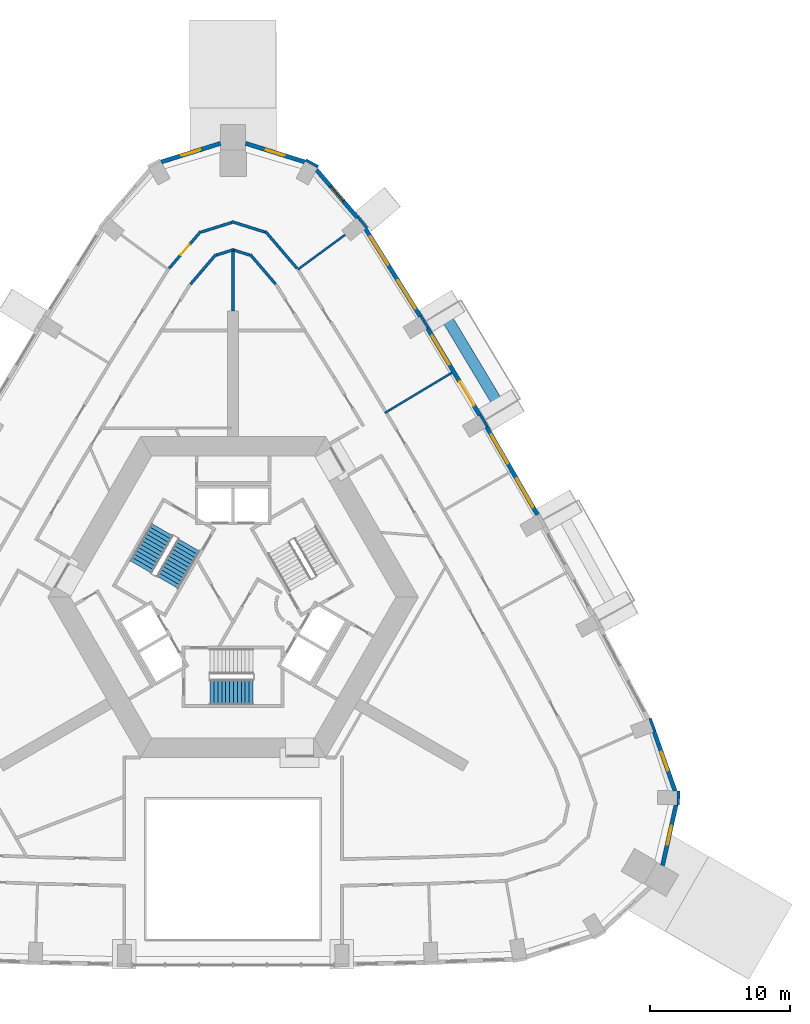
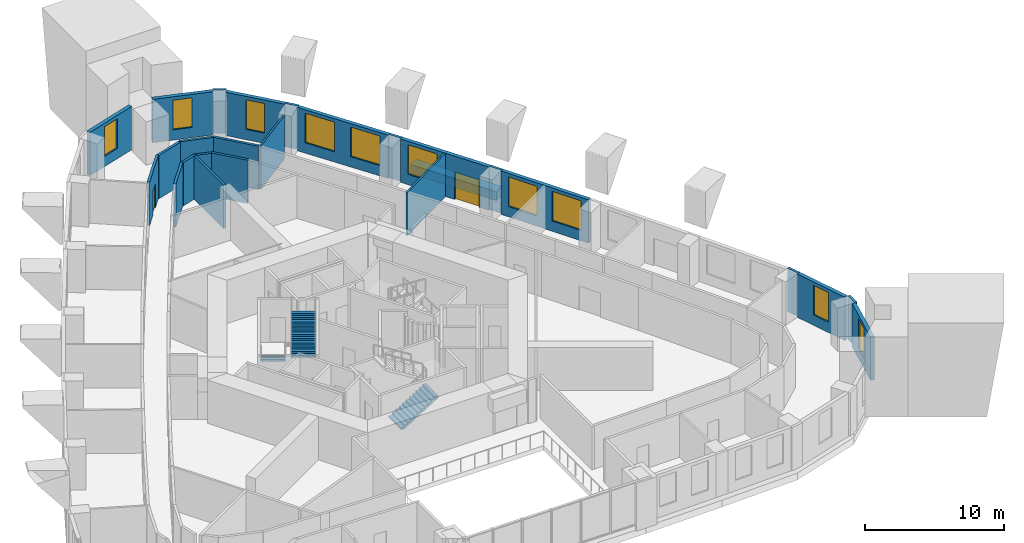
# One storey, part 9 of 13: 26 walls, 10 windows, 3 stair flights, 2 doors, 12 openings, 2 elements without a shape of their own.
"""IFC4 building model written with IfcOpenShell, lengths in metres."""

from ifc_helpers import new_model, si_unit, direction, frame, frame_2d, origin, place, context, subcontext, project, spatial, polyline, rectangle, outline, extrude, material, layer, layer_set, type_object, element, fill, aggregate, save


model = new_model("IFC4")

# Units and contexts
model_context = context("Model", 3, precision=1e-05, world=origin(), true_north=direction((0.0, 1.0)))
body_context = subcontext(model_context, "Body", "Model", "MODEL_VIEW")
ifc_project = project(units=[si_unit("LENGTHUNIT", "METRE"), si_unit("AREAUNIT", "SQUARE_METRE"), si_unit("VOLUMEUNIT", "CUBIC_METRE"), si_unit("PLANEANGLEUNIT", "RADIAN"), si_unit("MASSUNIT", "GRAM", prefix="KILO")], contexts=[model_context])

# Site, building, storey
site_placement = place(None, origin())
site = spatial("IfcSite", under=ifc_project, at=site_placement, CompositionType="ELEMENT")
building_placement = place(site_placement, origin())
building = spatial("IfcBuilding", under=site, at=building_placement, Name="Entoto Arch Interchange Tower", CompositionType="ELEMENT")
storey_placement = place(building_placement, frame((0.0, 0.0, 227.60009765625)))
storey = spatial("IfcBuildingStorey", under=building, at=storey_placement, Name="L51", CompositionType="ELEMENT", Elevation=227.60009765625)

# Walls
ifc_material_1 = material(Name="Gypsum board partition on steel studs", Category="steel")
ifc_layer_1 = layer(ifc_material_1, 0.14990234375)
ifc_layer_set_1 = layer_set([ifc_layer_1], Name="Gypsum board partition on steel studs")
wall_type_1 = type_object("IfcWallType", Name="PARTITION 150", PredefinedType="PARTITIONING", material=ifc_layer_set_1)
wall_1_placement = place(storey_placement, frame((10.87109375, 15.69189453125, 0.0), z_axis=(0.0, 0.0, 1.0), x_axis=(0.857165756431, 0.515040645001, 0.0)))
element("IfcWall", 1, at=wall_1_placement, inside=storey, type_object=wall_type_1, Name="wall:L51:p119", PredefinedType="PARTITIONING", context=body_context, shape_type="SweptSolid", body=[
    extrude(rectangle(XDim=5.599609375, YDim=0.14990234375, at=frame_2d((2.7998046875, 0.0))), origin(), (0.0, 0.0, 1.0), 3.7998046875),
])
wall_2_placement = place(storey_placement, frame((4.64599609375, 25.97607421875, 0.0), z_axis=(0.0, 0.0, 1.0), x_axis=(0.806134630684, 0.591732166788, 0.0)))
element("IfcWall", 2, at=wall_2_placement, inside=storey, type_object=wall_type_1, Name="wall:L51:p120", PredefinedType="PARTITIONING", context=body_context, shape_type="SweptSolid", body=[
    extrude(rectangle(XDim=4.192626953125, YDim=0.14990234375, at=frame_2d((2.09619140625, 0.0))), origin(), (0.0, 0.0, 1.0), 3.7998046875),
])
ifc_layer_2 = layer(ifc_material_1, 0.199951171875)
ifc_layer_set_2 = layer_set([ifc_layer_2], Name="Gypsum board partition on steel studs")
wall_type_2 = type_object("IfcWallType", Name="PARTITION 200", PredefinedType="PARTITIONING", material=ifc_layer_set_2)
wall_3_placement = place(storey_placement, frame((3.044921875, 24.925048828125, 0.0), z_axis=(0.0, 0.0, 1.0), x_axis=(-0.650057725157, 0.759884829407, 0.0)))
element("IfcWall", 3, at=wall_3_placement, inside=storey, type_object=wall_type_2, Name="wall:L51:p015", PredefinedType="PARTITIONING", context=body_context, shape_type="SweptSolid", body=[
    extrude(rectangle(XDim=2.79638671875, YDim=0.199951171875, at=frame_2d((1.398193359375, 0.0))), origin(), (0.0, 0.0, 1.0), 3.7998046875),
])
wall_4_placement = place(storey_placement, frame((1.196044921875, 27.00390625, 0.0), z_axis=(0.0, 0.0, 1.0), x_axis=(-0.954200976086, 0.29916633707, 0.0)))
element("IfcWall", 4, at=wall_4_placement, inside=storey, type_object=wall_type_2, Name="wall:L51:p016", PredefinedType="PARTITIONING", context=body_context, shape_type="SweptSolid", body=[
    extrude(rectangle(XDim=1.15380859375, YDim=0.199951171875, at=frame_2d((0.576904296875, 0.0))), origin(), (0.0, 0.0, 1.0), 3.7998046875),
])
wall_5_placement = place(storey_placement, frame((0.0, 27.37890625, 0.0), z_axis=(0.0, 0.0, 1.0), x_axis=(-0.954198830916, -0.299173179075, 0.0)))
element("IfcWall", 5, at=wall_5_placement, inside=storey, type_object=wall_type_2, Name="wall:L51:p017", PredefinedType="PARTITIONING", context=body_context, shape_type="SweptSolid", body=[
    extrude(rectangle(XDim=1.25341796875, YDim=0.199951171875, at=frame_2d((0.626708984375, 0.0))), origin(), (0.0, 0.0, 1.0), 3.7998046875),
])
wall_6_placement = place(storey_placement, frame((-1.22705078125, 27.050048828125, 0.0), z_axis=(0.0, 0.0, 1.0), x_axis=(-0.650057725157, -0.759884829407, 0.0)))
element("IfcWall", 6, at=wall_6_placement, inside=storey, type_object=wall_type_2, Name="wall:L51:p018", PredefinedType="PARTITIONING", context=body_context, shape_type="SweptSolid", body=[
    extrude(rectangle(XDim=2.79638671875, YDim=0.199951171875, at=frame_2d((1.398193359375, 0.0))), origin(), (0.0, 0.0, 1.0), 3.7998046875),
])

# Wall, opening, door
wall_7_placement = place(storey_placement, frame((-4.5810546875, 26.052001953125, 0.0), z_axis=(0.0, 0.0, 1.0), x_axis=(0.650040973726, 0.759899159413, 0.0)))
wall_7 = element("IfcWall", 7, at=wall_7_placement, inside=storey, type_object=wall_type_2, Name="wall:L51:p054", PredefinedType="PARTITIONING", context=body_context, shape_type="SweptSolid", body=[
    extrude(rectangle(XDim=3.484619140625, YDim=0.199951171875, at=frame_2d((1.7421875, 0.0))), origin(), (0.0, 0.0, 1.0), 3.7998046875),
])
opening_1_placement = place(wall_7_placement, frame((1.242919921875, 0.0, 0.0)))
opening_1 = element("IfcOpeningElement", 8, at=opening_1_placement, cuts=wall_7, Name="Opening L51-D08", PredefinedType="OPENING", context=body_context, shape_type="SweptSolid", body=[
    extrude(rectangle(XDim=1.0, YDim=2.10009765625, at=frame_2d((0.5, 1.050048828125))), frame((0.0, 0.10986328125, 0.0), z_axis=(0.0, -1.0, 0.0), x_axis=(1.0, 0.0, 0.0)), (0.0, 0.0, 1.0), 0.219970703125),
])
ifc_material_2 = material(Name="Timber door leaf in Steel S235 frame", Category="steel")
door_type_1 = type_object("IfcDoorType", Name="DOOR DS-10 1000x2100", OperationType="SINGLE_SWING_LEFT", PredefinedType="DOOR", material=ifc_material_2)
door_1_placement = place(opening_1_placement, origin())
door_1 = element("IfcDoor", 9, at=door_1_placement, inside=storey, type_object=door_type_1, Name="door:L51:08", OperationType="SINGLE_SWING_LEFT", OverallHeight=2.10009765625, OverallWidth=1.0, PredefinedType="DOOR", context=body_context, shape_type="SweptSolid", body=[
    extrude(rectangle(XDim=1.0, YDim=2.10009765625, at=frame_2d((0.5, 1.050048828125))), frame((0.0, 0.02490234375, 0.0), z_axis=(0.0, -1.0, 0.0), x_axis=(1.0, 0.0, 0.0)), (0.0, 0.0, 1.0), 0.050048828125),
])
fill(opening_1, door_1)

# Walls
wall_8_placement = place(storey_placement, frame((-2.284912109375, 28.654052734375, 0.0), z_axis=(0.0, 0.0, 1.0), x_axis=(0.954271519007, 0.298941245085, 0.0)))
element("IfcWall", 10, at=wall_8_placement, inside=storey, type_object=wall_type_2, Name="wall:L51:p055", PredefinedType="PARTITIONING", context=body_context, shape_type="SweptSolid", body=[
    extrude(rectangle(XDim=2.294921875, YDim=0.199951171875, at=frame_2d((1.1474609375, 0.0))), origin(), (0.0, 0.0, 1.0), 3.7998046875),
])
wall_9_placement = place(storey_placement, frame((-0.094970703125, 29.39990234375, 0.0), z_axis=(0.0, 0.0, 1.0), x_axis=(0.954235803916, -0.29905522989, 0.0)))
element("IfcWall", 11, at=wall_9_placement, inside=storey, type_object=wall_type_2, Name="wall:L51:p056", PredefinedType="PARTITIONING", context=body_context, shape_type="SweptSolid", body=[
    extrude(rectangle(XDim=2.494140625, YDim=0.199951171875, at=frame_2d((1.2470703125, 0.0))), origin(), (0.0, 0.0, 1.0), 3.7998046875),
])
wall_10_placement = place(storey_placement, frame((2.31591796875, 28.699951171875, 0.0), z_axis=(0.0, 0.0, 1.0), x_axis=(0.650040973726, -0.759899159413, 0.0)))
element("IfcWall", 12, at=wall_10_placement, inside=storey, type_object=wall_type_2, Name="wall:L51:p057", PredefinedType="PARTITIONING", context=body_context, shape_type="SweptSolid", body=[
    extrude(rectangle(XDim=3.484619140625, YDim=0.199951171875, at=frame_2d((1.7421875, 0.0))), origin(), (0.0, 0.0, 1.0), 3.7998046875),
])
wall_11_placement = place(storey_placement, frame((0.0, 23.0, 0.0), z_axis=(0.0, 0.0, 1.0), x_axis=(0.0, 1.0, 0.0)))
element("IfcWall", 13, at=wall_11_placement, inside=storey, type_object=wall_type_2, Name="wall:L51:p108", PredefinedType="PARTITIONING", context=body_context, shape_type="SweptSolid", body=[
    extrude(rectangle(XDim=4.47900390625, YDim=0.199951171875, at=frame_2d((2.239501953125, 0.0))), origin(), (0.0, 0.0, 1.0), 3.7998046875),
])
ifc_material_3 = material(Name="Board-marked precast concrete C50/60", Category="concrete")
ifc_layer_3 = layer(ifc_material_3, 0.800048828125)
ifc_layer_set_3 = layer_set([ifc_layer_3], Name="Board-marked precast concrete C50/60")
wall_type_3 = type_object("IfcWallType", Name="PLANTER RC 800 Hagenia abyssinica", PredefinedType="STANDARD", material=ifc_layer_set_3)
wall_12_placement = place(storey_placement, frame((18.946044921875, 16.426025390625, 0.0), z_axis=(0.0, 0.0, 1.0), x_axis=(-0.51495344021, 0.857218148674, 0.0)))
element("IfcWall", 14, at=wall_12_placement, inside=storey, type_object=wall_type_3, Name="Planter NE-04 L51", PredefinedType="STANDARD", context=body_context, shape_type="SweptSolid", body=[
    extrude(rectangle(XDim=7.058837890625, YDim=0.800048828125, at=frame_2d((3.529296875, 0.0))), origin(), (0.0, 0.0, 1.0), 0.7998046875),
])

# Wall, opening, window
ifc_material_4 = material(Name="Welded tuff (ignimbrite) cladding, warm buff", Category="masonry")
ifc_layer_4 = layer(ifc_material_4, 0.300048828125)
ifc_layer_set_4 = layer_set([ifc_layer_4], Name="Welded tuff (ignimbrite) cladding, warm buff")
wall_type_4 = type_object("IfcWallType", Name="STONE INFILL WALL 300", PredefinedType="STANDARD", material=ifc_layer_set_4)
wall_13_placement = place(storey_placement, frame((30.76904296875, -16.72607421875, 0.0), z_axis=(0.0, 0.0, 1.0), x_axis=(0.218179157422, 0.975908733062, 0.0)))
wall_13 = element("IfcWall", 15, at=wall_13_placement, inside=storey, type_object=wall_type_4, Name="Facade wall SE-03 L51", PredefinedType="STANDARD", context=body_context, shape_type="SweptSolid", body=[
    extrude(rectangle(XDim=4.4501953125, YDim=0.300048828125, at=frame_2d((2.22509765625, 0.0))), origin(), (0.0, 0.0, 1.0), 3.7998046875),
])
opening_2_placement = place(wall_13_placement, frame((1.52490234375, 0.0, 0.89990234375)))
opening_2 = element("IfcOpeningElement", 16, at=opening_2_placement, cuts=wall_13, Name="Opening WO-B", PredefinedType="OPENING", context=body_context, shape_type="SweptSolid", body=[
    extrude(rectangle(XDim=1.39990234375, YDim=2.60009765625, at=frame_2d((0.699951171875, 1.300048828125))), frame((0.0, 0.16015625, 0.0), z_axis=(0.0, -1.0, 0.0), x_axis=(1.0, 0.0, 0.0)), (0.0, 0.0, 1.0), 0.320068359375),
])
ifc_material_5 = material(Name="Clear glass, low-e double glazed", Category="glass")
window_type_1 = type_object("IfcWindowType", Name="WINDOW WO-B 1400x2600", PartitioningType="DOUBLE_PANEL_VERTICAL", PredefinedType="WINDOW", material=ifc_material_5)
window_1_placement = place(opening_2_placement, origin())
window_1 = element("IfcWindow", 17, at=window_1_placement, inside=storey, type_object=window_type_1, Name="Window WO-B SE-03 L51", OverallHeight=2.60009765625, OverallWidth=1.39990234375, PartitioningType="SINGLE_PANEL", PredefinedType="WINDOW", context=body_context, shape_type="SweptSolid", body=[
    extrude(rectangle(XDim=1.39990234375, YDim=2.60009765625, at=frame_2d((0.699951171875, 1.300048828125))), frame((0.0, 0.030029296875, 0.0), z_axis=(0.0, -1.0, 0.0), x_axis=(1.0, 0.0, 0.0)), (0.0, 0.0, 1.0), 0.06005859375),
])
fill(opening_2, window_1)

wall_14_placement = place(storey_placement, frame((31.666015625, -11.382080078125, 0.0), z_axis=(0.0, 0.0, 1.0), x_axis=(-0.333280640478, 0.942827669663, 0.0)))
wall_14 = element("IfcWall", 18, at=wall_14_placement, inside=storey, type_object=wall_type_4, Name="Facade wall SE-04 L51", PredefinedType="STANDARD", context=body_context, shape_type="SweptSolid", body=[
    extrude(rectangle(XDim=4.491943359375, YDim=0.300048828125, at=frame_2d((2.24609375, 0.0))), origin(), (0.0, 0.0, 1.0), 3.7998046875),
])
opening_3_placement = place(wall_14_placement, frame((1.5458984375, 0.0, 0.89990234375)))
opening_3 = element("IfcOpeningElement", 19, at=opening_3_placement, cuts=wall_14, Name="Opening WO-B", PredefinedType="OPENING", context=body_context, shape_type="SweptSolid", body=[
    extrude(rectangle(XDim=1.39990234375, YDim=2.60009765625, at=frame_2d((0.699951171875, 1.300048828125))), frame((0.0, 0.16015625, 0.0), z_axis=(0.0, -1.0, 0.0), x_axis=(1.0, 0.0, 0.0)), (0.0, 0.0, 1.0), 0.320068359375),
])
window_2_placement = place(opening_3_placement, origin())
window_2 = element("IfcWindow", 20, at=window_2_placement, inside=storey, type_object=window_type_1, Name="Window WO-B SE-04 L51", OverallHeight=2.60009765625, OverallWidth=1.39990234375, PartitioningType="SINGLE_PANEL", PredefinedType="WINDOW", context=body_context, shape_type="SweptSolid", body=[
    extrude(rectangle(XDim=1.39990234375, YDim=2.60009765625, at=frame_2d((0.699951171875, 1.300048828125))), frame((0.0, 0.030029296875, 0.0), z_axis=(0.0, -1.0, 0.0), x_axis=(1.0, 0.0, 0.0)), (0.0, 0.0, 1.0), 0.06005859375),
])
fill(opening_3, window_2)

# Wall, openings, windows
wall_15_placement = place(storey_placement, frame((21.803955078125, 8.39892578125, 0.0), z_axis=(0.0, 0.0, 1.0), x_axis=(-0.500075798504, 0.865981637075, 0.0)))
wall_15 = element("IfcWall", 21, at=wall_15_placement, inside=storey, type_object=wall_type_4, Name="Facade wall NE-03 L51", PredefinedType="STANDARD", context=body_context, shape_type="SweptSolid", body=[
    extrude(rectangle(XDim=7.256591796875, YDim=0.300048828125, at=frame_2d((3.62841796875, 0.0))), origin(), (0.0, 0.0, 1.0), 3.7998046875),
])
opening_4_placement = place(wall_15_placement, frame((0.614013671875, 0.0, 0.89990234375)))
opening_4 = element("IfcOpeningElement", 22, at=opening_4_placement, cuts=wall_15, Name="Opening WO-A", PredefinedType="OPENING", context=body_context, shape_type="SweptSolid", body=[
    extrude(rectangle(XDim=2.39990234375, YDim=2.60009765625, at=frame_2d((1.199951171875, 1.300048828125))), frame((0.0, 0.16015625, 0.0), z_axis=(0.0, -1.0, 0.0), x_axis=(1.0, 0.0, 0.0)), (0.0, 0.0, 1.0), 0.320068359375),
])
opening_5_placement = place(wall_15_placement, frame((4.241943359375, 0.0, 0.89990234375)))
opening_5 = element("IfcOpeningElement", 23, at=opening_5_placement, cuts=wall_15, Name="Opening WO-A", PredefinedType="OPENING", context=body_context, shape_type="SweptSolid", body=[
    extrude(rectangle(XDim=2.39990234375, YDim=2.60009765625, at=frame_2d((1.199951171875, 1.300048828125))), frame((0.0, 0.16015625, 0.0), z_axis=(0.0, -1.0, 0.0), x_axis=(1.0, 0.0, 0.0)), (0.0, 0.0, 1.0), 0.320068359375),
])
window_type_2 = type_object("IfcWindowType", Name="WINDOW WO-A 2400x2600", PartitioningType="DOUBLE_PANEL_VERTICAL", PredefinedType="WINDOW", material=ifc_material_5)
window_3_placement = place(opening_4_placement, origin())
window_3 = element("IfcWindow", 24, at=window_3_placement, inside=storey, type_object=window_type_2, Name="Window WO-A NE-03 L51", OverallHeight=2.60009765625, OverallWidth=2.39990234375, PartitioningType="SINGLE_PANEL", PredefinedType="WINDOW", context=body_context, shape_type="SweptSolid", body=[
    extrude(rectangle(XDim=2.39990234375, YDim=2.60009765625, at=frame_2d((1.199951171875, 1.300048828125))), frame((0.0, 0.030029296875, 0.0), z_axis=(0.0, -1.0, 0.0), x_axis=(1.0, 0.0, 0.0)), (0.0, 0.0, 1.0), 0.06005859375),
])
fill(opening_4, window_3)
window_4_placement = place(opening_5_placement, origin())
window_4 = element("IfcWindow", 25, at=window_4_placement, inside=storey, type_object=window_type_2, Name="Window WO-A NE-03 L51", OverallHeight=2.60009765625, OverallWidth=2.39990234375, PartitioningType="SINGLE_PANEL", PredefinedType="WINDOW", context=body_context, shape_type="SweptSolid", body=[
    extrude(rectangle(XDim=2.39990234375, YDim=2.60009765625, at=frame_2d((1.199951171875, 1.300048828125))), frame((0.0, 0.030029296875, 0.0), z_axis=(0.0, -1.0, 0.0), x_axis=(1.0, 0.0, 0.0)), (0.0, 0.0, 1.0), 0.06005859375),
])
fill(opening_5, window_4)

# Wall, openings, door, window
wall_16_placement = place(storey_placement, frame((17.6689453125, 15.5419921875, 0.0), z_axis=(0.0, 0.0, 1.0), x_axis=(-0.515049705348, 0.857160312323, 0.0)))
wall_16 = element("IfcWall", 26, at=wall_16_placement, inside=storey, type_object=wall_type_4, Name="Facade wall NE-04 L51", PredefinedType="STANDARD", context=body_context, shape_type="SweptSolid", body=[
    extrude(rectangle(XDim=7.257568359375, YDim=0.300048828125, at=frame_2d((3.62890625, 0.0))), origin(), (0.0, 0.0, 1.0), 3.7998046875),
])
opening_6_placement = place(wall_16_placement, frame((0.81396484375, 0.0, 0.0)))
opening_6 = element("IfcOpeningElement", 27, at=opening_6_placement, cuts=wall_16, Name="Opening DB-NE-04-L51", PredefinedType="OPENING", context=body_context, shape_type="SweptSolid", body=[
    extrude(rectangle(XDim=2.0, YDim=2.39990234375, at=frame_2d((1.0, 1.199951171875))), frame((0.0, 0.16015625, 0.0), z_axis=(0.0, -1.0, 0.0), x_axis=(1.0, 0.0, 0.0)), (0.0, 0.0, 1.0), 0.320068359375),
])
opening_7_placement = place(wall_16_placement, frame((4.242919921875, 0.0, 0.89990234375)))
opening_7 = element("IfcOpeningElement", 28, at=opening_7_placement, cuts=wall_16, Name="Opening WO-A", PredefinedType="OPENING", context=body_context, shape_type="SweptSolid", body=[
    extrude(rectangle(XDim=2.39990234375, YDim=2.60009765625, at=frame_2d((1.199951171875, 1.300048828125))), frame((0.0, 0.16015625, 0.0), z_axis=(0.0, -1.0, 0.0), x_axis=(1.0, 0.0, 0.0)), (0.0, 0.0, 1.0), 0.320068359375),
])
ifc_material_6 = material(Name="Aluminium and clear glass, anodised", Category="aluminium")
door_type_2 = type_object("IfcDoorType", Name="BALCONY DOOR DB 2000x2400", OperationType="SLIDING_TO_LEFT", PredefinedType="DOOR", material=ifc_material_6)
door_2_placement = place(opening_6_placement, origin())
door_2 = element("IfcDoor", 29, at=door_2_placement, inside=storey, type_object=door_type_2, Name="Balcony door NE-04 L51", OperationType="SLIDING_TO_LEFT", OverallHeight=2.39990234375, OverallWidth=2.0, PredefinedType="DOOR", context=body_context, shape_type="SweptSolid", body=[
    extrude(rectangle(XDim=2.0, YDim=2.39990234375, at=frame_2d((1.0, 1.199951171875))), frame((0.0, 0.02490234375, 0.0), z_axis=(0.0, -1.0, 0.0), x_axis=(1.0, 0.0, 0.0)), (0.0, 0.0, 1.0), 0.050048828125),
])
fill(opening_6, door_2)
window_5_placement = place(opening_7_placement, origin())
window_5 = element("IfcWindow", 30, at=window_5_placement, inside=storey, type_object=window_type_2, Name="Window WO-A NE-04 L51", OverallHeight=2.60009765625, OverallWidth=2.39990234375, PartitioningType="SINGLE_PANEL", PredefinedType="WINDOW", context=body_context, shape_type="SweptSolid", body=[
    extrude(rectangle(XDim=2.39990234375, YDim=2.60009765625, at=frame_2d((1.199951171875, 1.300048828125))), frame((0.0, 0.030029296875, 0.0), z_axis=(0.0, -1.0, 0.0), x_axis=(1.0, 0.0, 0.0)), (0.0, 0.0, 1.0), 0.06005859375),
])
fill(opening_7, window_5)

# Wall, openings, windows
wall_17_placement = place(storey_placement, frame((13.409912109375, 22.614013671875, 0.0), z_axis=(0.0, 0.0, 1.0), x_axis=(-0.530037467052, 0.847974223383, 0.0)))
wall_17 = element("IfcWall", 31, at=wall_17_placement, inside=storey, type_object=wall_type_4, Name="Facade wall NE-05 L51", PredefinedType="STANDARD", context=body_context, shape_type="SweptSolid", body=[
    extrude(rectangle(XDim=7.40478515625, YDim=0.300048828125, at=frame_2d((3.702392578125, 0.0))), origin(), (0.0, 0.0, 1.0), 3.7998046875),
])
opening_8_placement = place(wall_17_placement, frame((0.65087890625, 0.0, 0.89990234375)))
opening_8 = element("IfcOpeningElement", 32, at=opening_8_placement, cuts=wall_17, Name="Opening WO-A", PredefinedType="OPENING", context=body_context, shape_type="SweptSolid", body=[
    extrude(rectangle(XDim=2.39990234375, YDim=2.60009765625, at=frame_2d((1.199951171875, 1.300048828125))), frame((0.0, 0.16015625, 0.0), z_axis=(0.0, -1.0, 0.0), x_axis=(1.0, 0.0, 0.0)), (0.0, 0.0, 1.0), 0.320068359375),
])
opening_9_placement = place(wall_17_placement, frame((4.35400390625, 0.0, 0.89990234375)))
opening_9 = element("IfcOpeningElement", 33, at=opening_9_placement, cuts=wall_17, Name="Opening WO-A", PredefinedType="OPENING", context=body_context, shape_type="SweptSolid", body=[
    extrude(rectangle(XDim=2.39990234375, YDim=2.60009765625, at=frame_2d((1.199951171875, 1.300048828125))), frame((0.0, 0.16015625, 0.0), z_axis=(0.0, -1.0, 0.0), x_axis=(1.0, 0.0, 0.0)), (0.0, 0.0, 1.0), 0.320068359375),
])
window_6_placement = place(opening_8_placement, origin())
window_6 = element("IfcWindow", 34, at=window_6_placement, inside=storey, type_object=window_type_2, Name="Window WO-A NE-05 L51", OverallHeight=2.60009765625, OverallWidth=2.39990234375, PartitioningType="SINGLE_PANEL", PredefinedType="WINDOW", context=body_context, shape_type="SweptSolid", body=[
    extrude(rectangle(XDim=2.39990234375, YDim=2.60009765625, at=frame_2d((1.199951171875, 1.300048828125))), frame((0.0, 0.030029296875, 0.0), z_axis=(0.0, -1.0, 0.0), x_axis=(1.0, 0.0, 0.0)), (0.0, 0.0, 1.0), 0.06005859375),
])
fill(opening_8, window_6)
window_7_placement = place(opening_9_placement, origin())
window_7 = element("IfcWindow", 35, at=window_7_placement, inside=storey, type_object=window_type_2, Name="Window WO-A NE-05 L51", OverallHeight=2.60009765625, OverallWidth=2.39990234375, PartitioningType="SINGLE_PANEL", PredefinedType="WINDOW", context=body_context, shape_type="SweptSolid", body=[
    extrude(rectangle(XDim=2.39990234375, YDim=2.60009765625, at=frame_2d((1.199951171875, 1.300048828125))), frame((0.0, 0.030029296875, 0.0), z_axis=(0.0, -1.0, 0.0), x_axis=(1.0, 0.0, 0.0)), (0.0, 0.0, 1.0), 0.06005859375),
])
fill(opening_9, window_7)

# Wall, opening, window
wall_18_placement = place(storey_placement, frame((8.89501953125, 29.699951171875, 0.0), z_axis=(0.0, 0.0, 1.0), x_axis=(-0.649967502437, 0.75996200285, 0.0)))
wall_18 = element("IfcWall", 36, at=wall_18_placement, inside=storey, type_object=wall_type_4, Name="Facade wall N-01 L51", PredefinedType="STANDARD", context=body_context, shape_type="SweptSolid", body=[
    extrude(rectangle(XDim=4.492431640625, YDim=0.300048828125, at=frame_2d((2.24609375, 0.0))), origin(), (0.0, 0.0, 1.0), 3.7998046875),
])
opening_10_placement = place(wall_18_placement, frame((1.5458984375, 0.0, 0.89990234375)))
opening_10 = element("IfcOpeningElement", 37, at=opening_10_placement, cuts=wall_18, Name="Opening WO-B", PredefinedType="OPENING", context=body_context, shape_type="SweptSolid", body=[
    extrude(rectangle(XDim=1.39990234375, YDim=2.60009765625, at=frame_2d((0.699951171875, 1.300048828125))), frame((0.0, 0.16015625, 0.0), z_axis=(0.0, -1.0, 0.0), x_axis=(1.0, 0.0, 0.0)), (0.0, 0.0, 1.0), 0.320068359375),
])
window_8_placement = place(opening_10_placement, origin())
window_8 = element("IfcWindow", 38, at=window_8_placement, inside=storey, type_object=window_type_1, Name="Window WO-B N-01 L51", OverallHeight=2.60009765625, OverallWidth=1.39990234375, PartitioningType="SINGLE_PANEL", PredefinedType="WINDOW", context=body_context, shape_type="SweptSolid", body=[
    extrude(rectangle(XDim=1.39990234375, YDim=2.60009765625, at=frame_2d((0.699951171875, 1.300048828125))), frame((0.0, 0.030029296875, 0.0), z_axis=(0.0, -1.0, 0.0), x_axis=(1.0, 0.0, 0.0)), (0.0, 0.0, 1.0), 0.06005859375),
])
fill(opening_10, window_8)

wall_19_placement = place(storey_placement, frame((5.14599609375, 33.678955078125, 0.0), z_axis=(0.0, 0.0, 1.0), x_axis=(-0.95429628924, 0.298862162783, 0.0)))
wall_19 = element("IfcWall", 39, at=wall_19_placement, inside=storey, type_object=wall_type_4, Name="Facade wall N-02 L51", PredefinedType="STANDARD", context=body_context, shape_type="SweptSolid", body=[
    extrude(rectangle(XDim=4.450439453125, YDim=0.300048828125, at=frame_2d((2.22509765625, 0.0))), origin(), (0.0, 0.0, 1.0), 3.7998046875),
])
opening_11_placement = place(wall_19_placement, frame((1.52490234375, 0.0, 0.89990234375)))
opening_11 = element("IfcOpeningElement", 40, at=opening_11_placement, cuts=wall_19, Name="Opening WO-B", PredefinedType="OPENING", context=body_context, shape_type="SweptSolid", body=[
    extrude(rectangle(XDim=1.39990234375, YDim=2.60009765625, at=frame_2d((0.699951171875, 1.300048828125))), frame((0.0, 0.16015625, 0.0), z_axis=(0.0, -1.0, 0.0), x_axis=(1.0, 0.0, 0.0)), (0.0, 0.0, 1.0), 0.320068359375),
])
window_9_placement = place(opening_11_placement, origin())
window_9 = element("IfcWindow", 41, at=window_9_placement, inside=storey, type_object=window_type_1, Name="Window WO-B N-02 L51", OverallHeight=2.60009765625, OverallWidth=1.39990234375, PartitioningType="SINGLE_PANEL", PredefinedType="WINDOW", context=body_context, shape_type="SweptSolid", body=[
    extrude(rectangle(XDim=1.39990234375, YDim=2.60009765625, at=frame_2d((0.699951171875, 1.300048828125))), frame((0.0, 0.030029296875, 0.0), z_axis=(0.0, -1.0, 0.0), x_axis=(1.0, 0.0, 0.0)), (0.0, 0.0, 1.0), 0.06005859375),
])
fill(opening_11, window_9)

wall_20_placement = place(storey_placement, frame((-0.89892578125, 35.009033203125, 0.0), z_axis=(0.0, 0.0, 1.0), x_axis=(-0.95429628924, -0.298862162783, 0.0)))
wall_20 = element("IfcWall", 42, at=wall_20_placement, inside=storey, type_object=wall_type_4, Name="Facade wall N-03 L51", PredefinedType="STANDARD", context=body_context, shape_type="SweptSolid", body=[
    extrude(rectangle(XDim=4.450439453125, YDim=0.300048828125, at=frame_2d((2.22509765625, 0.0))), origin(), (0.0, 0.0, 1.0), 3.7998046875),
])
opening_12_placement = place(wall_20_placement, frame((1.52490234375, 0.0, 0.89990234375)))
opening_12 = element("IfcOpeningElement", 43, at=opening_12_placement, cuts=wall_20, Name="Opening WO-B", PredefinedType="OPENING", context=body_context, shape_type="SweptSolid", body=[
    extrude(rectangle(XDim=1.39990234375, YDim=2.60009765625, at=frame_2d((0.699951171875, 1.300048828125))), frame((0.0, 0.16015625, 0.0), z_axis=(0.0, -1.0, 0.0), x_axis=(1.0, 0.0, 0.0)), (0.0, 0.0, 1.0), 0.320068359375),
])
window_10_placement = place(opening_12_placement, origin())
window_10 = element("IfcWindow", 44, at=window_10_placement, inside=storey, type_object=window_type_1, Name="Window WO-B N-03 L51", OverallHeight=2.60009765625, OverallWidth=1.39990234375, PartitioningType="SINGLE_PANEL", PredefinedType="WINDOW", context=body_context, shape_type="SweptSolid", body=[
    extrude(rectangle(XDim=1.39990234375, YDim=2.60009765625, at=frame_2d((0.699951171875, 1.300048828125))), frame((0.0, 0.030029296875, 0.0), z_axis=(0.0, -1.0, 0.0), x_axis=(1.0, 0.0, 0.0)), (0.0, 0.0, 1.0), 0.06005859375),
])
fill(opening_12, window_10)

# Walls
ifc_layer_5 = layer(ifc_material_4, 0.199951171875)
ifc_layer_set_5 = layer_set([ifc_layer_5], Name="Welded tuff (ignimbrite) cladding, warm buff")
wall_type_5 = type_object("IfcWallType", Name="STONE PIER CLADDING 200", PredefinedType="STANDARD", material=ifc_layer_set_5)
wall_21_placement = place(storey_placement, frame((6.095947265625, 33.333984375, 0.0), z_axis=(0.0, 0.0, 1.0), x_axis=(-0.878250009632, 0.478201757191, 0.0)))
element("IfcWall", 45, at=wall_21_placement, inside=storey, type_object=wall_type_5, Name="Stone pier N1 L51", PredefinedType="STANDARD", context=body_context, shape_type="SweptSolid", body=[
    extrude(rectangle(XDim=0.999755859375, YDim=0.199951171875, at=frame_2d((0.5, 0.0))), origin(), (0.0, 0.0, 1.0), 3.7998046875),
])
wall_22_placement = place(storey_placement, frame((30.222900390625, -7.1279296875, 0.0), z_axis=(0.0, 0.0, 1.0), x_axis=(-0.346892928577, 0.937904737222, 0.0)))
element("IfcWall", 46, at=wall_22_placement, inside=storey, type_object=wall_type_5, Name="Stone pier NE01 L51", PredefinedType="STANDARD", context=body_context, shape_type="SweptSolid", body=[
    extrude(rectangle(XDim=1.0, YDim=0.199951171875, at=frame_2d((0.5, 0.0))), origin(), (0.0, 0.0, 1.0), 3.7998046875),
])
wall_23_placement = place(storey_placement, frame((18.222900390625, 14.7099609375, 0.0), z_axis=(0.0, 0.0, 1.0), x_axis=(-0.507980373775, 0.861368643416, 0.0)))
element("IfcWall", 47, at=wall_23_placement, inside=storey, type_object=wall_type_5, Name="Stone pier NE04 L51", PredefinedType="STANDARD", context=body_context, shape_type="SweptSolid", body=[
    extrude(rectangle(XDim=0.999755859375, YDim=0.199951171875, at=frame_2d((0.5, 0.0))), origin(), (0.0, 0.0, 1.0), 3.7998046875),
])
wall_24_placement = place(storey_placement, frame((13.97998046875, 21.7919921875, 0.0), z_axis=(0.0, 0.0, 1.0), x_axis=(-0.525648735675, 0.850701714282, 0.0)))
element("IfcWall", 48, at=wall_24_placement, inside=storey, type_object=wall_type_5, Name="Stone pier NE05 L51", PredefinedType="STANDARD", context=body_context, shape_type="SweptSolid", body=[
    extrude(rectangle(XDim=1.00048828125, YDim=0.199951171875, at=frame_2d((0.500244140625, 0.0))), origin(), (0.0, 0.0, 1.0), 3.7998046875),
])
wall_25_placement = place(storey_placement, frame((9.576904296875, 28.968017578125, 0.0), z_axis=(0.0, 0.0, 1.0), x_axis=(-0.637972365578, 0.770059257953, 0.0)))
element("IfcWall", 49, at=wall_25_placement, inside=storey, type_object=wall_type_5, Name="Stone pier NE06 L51", PredefinedType="STANDARD", context=body_context, shape_type="SweptSolid", body=[
    extrude(rectangle(XDim=1.0, YDim=0.199951171875, at=frame_2d((0.5, 0.0))), origin(), (0.0, 0.0, 1.0), 3.7998046875),
])
wall_26_placement = place(storey_placement, frame((31.89208984375, -12.386962890625, 0.0), z_axis=(0.0, 0.0, 1.0), x_axis=(0.023942303888, 0.999713341956, 0.0)))
element("IfcWall", 50, at=wall_26_placement, inside=storey, type_object=wall_type_5, Name="Stone pier SE3 L51", PredefinedType="STANDARD", context=body_context, shape_type="SweptSolid", body=[
    extrude(rectangle(XDim=0.999267578125, YDim=0.199951171875, at=frame_2d((0.49951171875, 0.0))), origin(), (0.0, 0.0, 1.0), 3.7998046875),
])

# Stair, stair flight
ifc_material_7 = material(Name="Concrete C40/50", Category="concrete")
stair_type = type_object("IfcStairType", Name="EXIT STAIR RC 1800", PredefinedType="HALF_TURN_STAIR", material=ifc_material_7)
stair_1_placement = place(storey_placement, origin())
stair_1 = element("IfcStair", 51, at=stair_1_placement, inside=storey, type_object=stair_type, Name="L51 Exit stair S", PredefinedType="HALF_TURN_STAIR")
stair_flight_type = type_object("IfcStairFlightType", Name="EXIT STAIR FLIGHT RC 1800", PredefinedType="STRAIGHT", material=ifc_material_7)
stair_flight_1_placement = place(storey_placement, frame((-1.64990234375, -4.300048828125, 0.0), z_axis=(0.0, 0.0, 1.0), x_axis=(1.0, 0.0, 0.0)))
stair_flight_1 = element("IfcStairFlight", 52, at=stair_flight_1_placement, type_object=stair_flight_type, Name="ST-S flight 1", NumberOfRisers=12, NumberOfTreads=11, PredefinedType="STRAIGHT", RiserHeight=0.175, TreadLength=0.28, context=body_context, shape_type="SweptSolid", body=[
    extrude(outline(polyline([(-0.0029296875, 0.0), (-0.0029296875, 0.175048828125), (0.280029296875, 0.175048828125), (0.280029296875, 0.35009765625), (0.56005859375, 0.35009765625), (0.56005859375, 0.52490234375), (0.840087890625, 0.52490234375), (0.840087890625, 0.699951171875), (1.1201171875, 0.699951171875), (1.1201171875, 0.875), (1.39990234375, 0.875), (1.39990234375, 1.050048828125), (1.679931640625, 1.050048828125), (1.679931640625, 1.22509765625), (1.9599609375, 1.22509765625), (1.9599609375, 1.39990234375), (2.239990234375, 1.39990234375), (2.239990234375, 1.574951171875), (2.52001953125, 1.574951171875), (2.52001953125, 1.75), (2.800048828125, 1.75), (2.800048828125, 1.925048828125), (3.080078125, 1.925048828125), (3.0830078125, 1.925048828125), (3.0830078125, 1.75), (0.28271484375, 0.0), (-0.0029296875, 0.0)])), frame((0.0, 0.89990234375, 0.0), z_axis=(0.0, -1.0, 0.0), x_axis=(1.0, 0.0, 0.0)), (0.0, 0.0, 1.0), 1.800048828125),
])
aggregate(stair_1, [stair_flight_1])

# Stair, stair flights
stair_2_placement = place(storey_placement, origin())
stair_2 = element("IfcStair", 53, at=stair_2_placement, inside=storey, type_object=stair_type, Name="L51 Exit stair NW", PredefinedType="HALF_TURN_STAIR")
stair_flight_2_placement = place(storey_placement, frame((-5.06396484375, 7.328857421875, 0.0), z_axis=(0.0, 0.0, 1.0), x_axis=(-0.5, -0.866025403784, 0.0)))
stair_flight_2 = element("IfcStairFlight", 54, at=stair_flight_2_placement, type_object=stair_flight_type, Name="ST-NW flight 1", NumberOfRisers=12, NumberOfTreads=11, PredefinedType="STRAIGHT", RiserHeight=0.175, TreadLength=0.28, context=body_context, shape_type="SweptSolid", body=[
    extrude(outline(polyline([(-0.0029296875, 0.0), (-0.0029296875, 0.175048828125), (0.280029296875, 0.175048828125), (0.280029296875, 0.35009765625), (0.56005859375, 0.35009765625), (0.56005859375, 0.52490234375), (0.840087890625, 0.52490234375), (0.840087890625, 0.699951171875), (1.1201171875, 0.699951171875), (1.1201171875, 0.875), (1.39990234375, 0.875), (1.39990234375, 1.050048828125), (1.679931640625, 1.050048828125), (1.679931640625, 1.22509765625), (1.9599609375, 1.22509765625), (1.9599609375, 1.39990234375), (2.239990234375, 1.39990234375), (2.239990234375, 1.574951171875), (2.52001953125, 1.574951171875), (2.52001953125, 1.75), (2.800048828125, 1.75), (2.800048828125, 1.925048828125), (3.080078125, 1.925048828125), (3.0830078125, 1.925048828125), (3.0830078125, 1.75), (0.28271484375, 0.0), (-0.0029296875, 0.0)])), frame((0.0, 0.89990234375, 0.0), z_axis=(0.0, -1.0, 0.0), x_axis=(1.0, 0.0, 0.0)), (0.0, 0.0, 1.0), 1.800048828125),
])
stair_flight_3_placement = place(storey_placement, frame((-4.69873046875, 3.5615234375, 2.099853515625), z_axis=(0.0, 0.0, 1.0), x_axis=(0.5, 0.866025403784, 0.0)))
stair_flight_3 = element("IfcStairFlight", 55, at=stair_flight_3_placement, type_object=stair_flight_type, Name="ST-NW flight 2", NumberOfRisers=12, NumberOfTreads=11, PredefinedType="STRAIGHT", RiserHeight=0.175, TreadLength=0.28, context=body_context, shape_type="SweptSolid", body=[
    extrude(outline(polyline([(-0.0029296875, 0.0), (-0.0029296875, 0.175048828125), (0.280029296875, 0.175048828125), (0.280029296875, 0.35009765625), (0.56005859375, 0.35009765625), (0.56005859375, 0.52490234375), (0.840087890625, 0.52490234375), (0.840087890625, 0.699951171875), (1.1201171875, 0.699951171875), (1.1201171875, 0.875), (1.39990234375, 0.875), (1.39990234375, 1.050048828125), (1.679931640625, 1.050048828125), (1.679931640625, 1.22509765625), (1.9599609375, 1.22509765625), (1.9599609375, 1.39990234375), (2.239990234375, 1.39990234375), (2.239990234375, 1.574951171875), (2.52001953125, 1.574951171875), (2.52001953125, 1.75), (2.800048828125, 1.75), (2.800048828125, 1.925048828125), (3.080078125, 1.925048828125), (3.0830078125, 1.925048828125), (3.0830078125, 1.75), (0.28271484375, 0.0), (-0.0029296875, 0.0)])), frame((0.0, 0.89990234375, 0.0), z_axis=(0.0, -1.0, 0.0), x_axis=(1.0, 0.0, 0.0)), (0.0, 0.0, 1.0), 1.800048828125),
])
aggregate(stair_2, [stair_flight_2, stair_flight_3])

save(model, "model.ifc")
